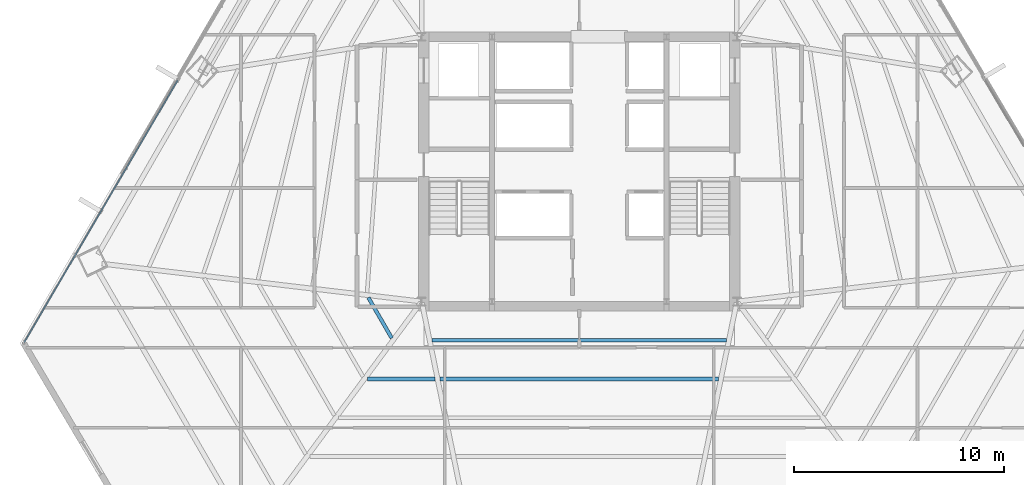
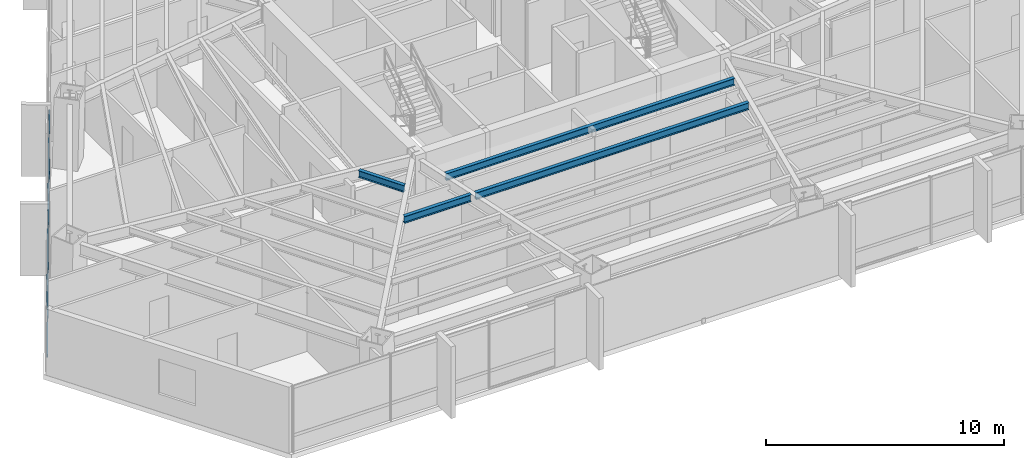
# One storey, part 10 of 37: 4 beams, 2 members, 1 element without a shape of its own.
"""IFC4 building model written with IfcOpenShell, lengths in metres."""

from ifc_helpers import new_model, si_unit, direction, frame, origin, origin_2d, place, context, subcontext, project, spatial, hollow_rectangle, i_section, extrude, source, transform, mapped, material, material_profile, profile_set, type_object, type_shapes, element, aggregate, save


model = new_model("IFC4")

# Units and contexts
model_context = context("Model", 3, precision=1e-05, world=origin(), true_north=direction((0.0, 1.0)))
body_context = subcontext(model_context, "Body", "Model", "MODEL_VIEW")
ifc_project = project(units=[si_unit("LENGTHUNIT", "METRE"), si_unit("AREAUNIT", "SQUARE_METRE"), si_unit("VOLUMEUNIT", "CUBIC_METRE"), si_unit("PLANEANGLEUNIT", "RADIAN"), si_unit("MASSUNIT", "GRAM", prefix="KILO")], contexts=[model_context])

# Site, building, storey
site_placement = place(None, origin())
site = spatial("IfcSite", under=ifc_project, at=site_placement, CompositionType="ELEMENT")
building_placement = place(site_placement, origin())
building = spatial("IfcBuilding", under=site, at=building_placement, Name="Caelisora Broadcast Tower", CompositionType="ELEMENT")
storey_placement = place(building_placement, frame((0.0, 0.0, 101.75)))
storey = spatial("IfcBuildingStorey", under=building, at=storey_placement, Name="L26", CompositionType="ELEMENT", Elevation=101.75)

# Beams
ifc_material_1 = material(Name="Steel Grade 350 (AS/NZS 3679.1)", Category="steel")
ifc_material_profile_1 = material_profile(ifc_material_1, i_section(OverallWidth=0.172119140625, OverallDepth=0.358642578125, WebThickness=0.008056640625, FlangeThickness=0.012939453125, at=origin_2d()), Name="Steel Grade 350 (AS/NZS 3679.1)")
ifc_profile_set_1 = profile_set([ifc_material_profile_1], Name="Steel Grade 350 (AS/NZS 3679.1)")
beam_type = type_object("IfcBeamType", Name="SB02", PredefinedType="JOIST", material=ifc_profile_set_1)
shared_shape_1 = source(origin(), body_context, "Body", "SweptSolid", [
    extrude(i_section(OverallWidth=0.172119140625, OverallDepth=0.358642578125, WebThickness=0.008056640625, FlangeThickness=0.012939453125, at=origin_2d()), origin(), (0.0, 0.0, 1.0), 2.2236328125),
])
beam_1_placement = place(storey_placement, frame((27.964111328125, 17.587646484375, 3.220703125), z_axis=(0.499988560547, -0.866032008255, 0.0), x_axis=(0.866032008255, 0.499988560547, 0.0)))
element("IfcBeam", 1, at=beam_1_placement, inside=storey, type_object=beam_type, Name="L26 beam SB02", PredefinedType="JOIST", context=body_context, shape_type="MappedRepresentation", body=[
    mapped(shared_shape_1, transform((0.0, 0.0, 0.0), scale=1.0)),
])
shared_shape_2 = source(origin(), body_context, "Body", "SweptSolid", [
    extrude(i_section(OverallWidth=0.172119140625, OverallDepth=0.358642578125, WebThickness=0.008056640625, FlangeThickness=0.012939453125, at=origin_2d()), origin(), (0.0, 0.0, 1.0), 3.232177734375),
])
beam_2_placement = place(storey_placement, frame((27.912109375, 13.713623046875, 3.220703125), z_axis=(1.0, 0.0, 0.0), x_axis=(0.0, 1.0, 0.0)))
element("IfcBeam", 2, at=beam_2_placement, inside=storey, type_object=beam_type, Name="L26 beam SB02", PredefinedType="JOIST", context=body_context, shape_type="MappedRepresentation", body=[
    mapped(shared_shape_2, transform((0.0, 0.0, 0.0), scale=1.0)),
])
shared_shape_3 = source(origin(), body_context, "Body", "SweptSolid", [
    extrude(i_section(OverallWidth=0.172119140625, OverallDepth=0.358642578125, WebThickness=0.008056640625, FlangeThickness=0.012939453125, at=origin_2d()), origin(), (0.0, 0.0, 1.0), 14.015625),
])
beam_3_placement = place(storey_placement, frame((30.9921875, 15.556884765625, 3.220703125), z_axis=(1.0, 0.0, 0.0), x_axis=(0.0, 1.0, 0.0)))
element("IfcBeam", 3, at=beam_3_placement, inside=storey, type_object=beam_type, Name="L26 beam SB02", PredefinedType="JOIST", context=body_context, shape_type="MappedRepresentation", body=[
    mapped(shared_shape_3, transform((0.0, 0.0, 0.0), scale=1.0)),
])
shared_shape_4 = source(origin(), body_context, "Body", "SweptSolid", [
    extrude(i_section(OverallWidth=0.172119140625, OverallDepth=0.358642578125, WebThickness=0.008056640625, FlangeThickness=0.012939453125, at=origin_2d()), origin(), (0.0, 0.0, 1.0), 13.2578125),
])
type_shapes(beam_type, [shared_shape_1, shared_shape_2, shared_shape_3, shared_shape_4])
beam_4_placement = place(storey_placement, frame((31.37109375, 13.713623046875, 3.220703125), z_axis=(1.0, 0.0, 0.0), x_axis=(0.0, 1.0, 0.0)))
element("IfcBeam", 4, at=beam_4_placement, inside=storey, type_object=beam_type, Name="L26 beam SB02", PredefinedType="JOIST", context=body_context, shape_type="MappedRepresentation", body=[
    mapped(shared_shape_4, transform((0.0, 0.0, 0.0), scale=1.0)),
])

# Curtain wall, members
ifc_material_2 = material(Name="Unitised Aluminium and Low-E Glass Curtain Wall", Category="glass")
curtain_wall_type = type_object("IfcCurtainWallType", Name="CW-Z2", PredefinedType="NOTDEFINED", material=ifc_material_2)
curtain_wall_placement = place(storey_placement, origin())
curtain_wall = element("IfcCurtainWall", 5, at=curtain_wall_placement, inside=storey, type_object=curtain_wall_type, Name="L26 curtain wall CW-Z2", PredefinedType="NOTDEFINED")
ifc_material_3 = material(Name="Aluminium 6063-T6 Anodised Terracotta Bronze", Category="aluminium")
ifc_material_profile_2 = material_profile(ifc_material_3, hollow_rectangle(XDim=0.06005859375, YDim=0.14990234375, WallThickness=0.00341796875, at=origin_2d()), Name="Aluminium 6063-T6 Anodised Terracotta Bronze")
ifc_profile_set_2 = profile_set([ifc_material_profile_2], Name="Aluminium 6063-T6 Anodised Terracotta Bronze")
member_type = type_object("IfcMemberType", Name="CWT-02", PredefinedType="USERDEFINED", material=ifc_profile_set_2)
shared_shape_5 = source(origin(), body_context, "Body", "SweptSolid", [
    extrude(hollow_rectangle(XDim=0.06005859375, YDim=0.14990234375, WallThickness=0.00341796875, at=origin_2d()), origin(), (0.0, 0.0, 1.0), 14.447509765625),
])
type_shapes(member_type, [shared_shape_5])
member_1_placement = place(storey_placement, frame((11.583251953125, 15.4560546875, 0.85009765625), z_axis=(0.50546404298, 0.862847669785, 0.0), x_axis=(-0.862847669785, 0.50546404298, 0.0)))
member_1 = element("IfcMember", 6, at=member_1_placement, type_object=member_type, Name="L26-CW-B09 transom #1", ObjectType="TRANSOM", PredefinedType="USERDEFINED", context=body_context, shape_type="MappedRepresentation", body=[
    mapped(shared_shape_5, transform((0.0, 0.0, 0.0), scale=1.0)),
])
member_2_placement = place(storey_placement, frame((11.583251953125, 15.4560546875, 3.320068359375), z_axis=(0.50546404298, 0.862847669785, 0.0), x_axis=(-0.862847669785, 0.50546404298, 0.0)))
member_2 = element("IfcMember", 7, at=member_2_placement, type_object=member_type, Name="L26-CW-B09 transom #2", ObjectType="TRANSOM", PredefinedType="USERDEFINED", context=body_context, shape_type="MappedRepresentation", body=[
    mapped(shared_shape_5, transform((0.0, 0.0, 0.0), scale=1.0)),
])
aggregate(curtain_wall, [member_1, member_2])

save(model, "model.ifc")
